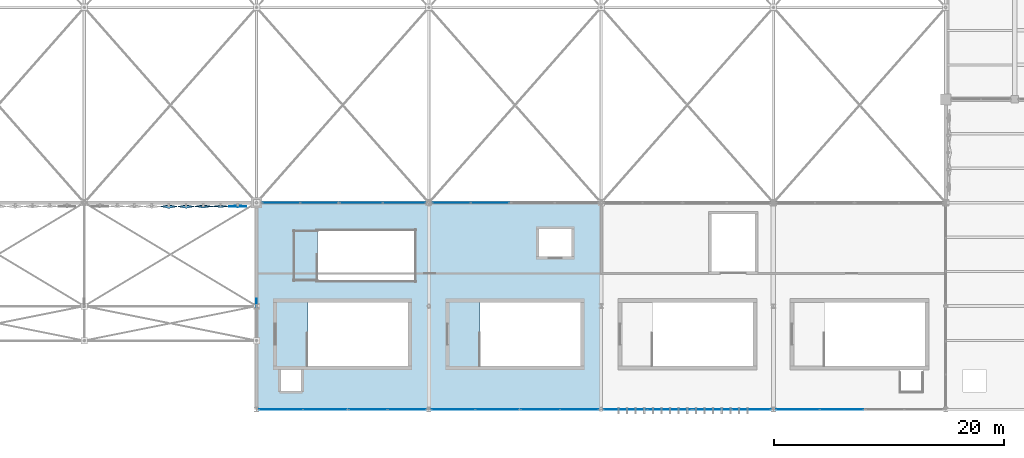
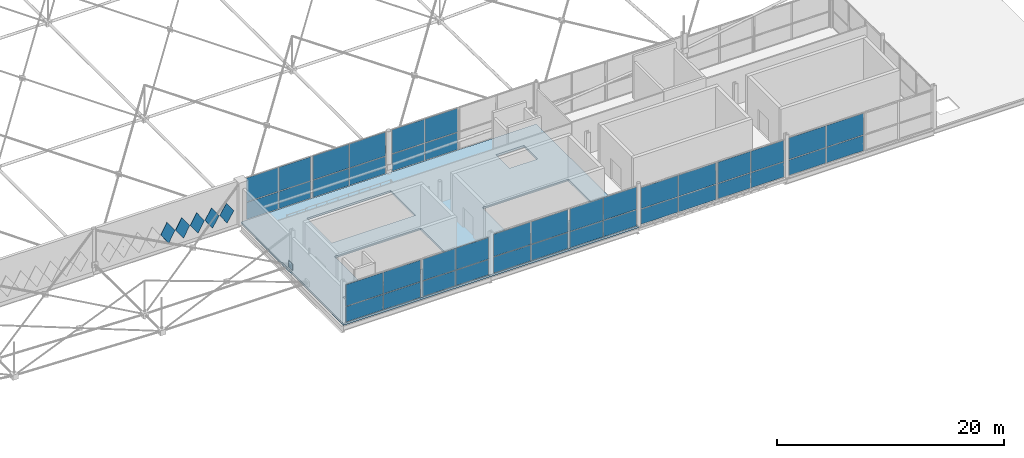
# One storey, part 162 of 224: 46 plates, 1 slab, 10 elements without a shape of their own.
"""IFC4 building model written with IfcOpenShell, lengths in metres."""

from ifc_helpers import new_model, si_unit, direction, frame, origin, origin_2d, place, context, subcontext, project, spatial, polyline, rectangle, outline, extrude, material, layer, layer_set, type_object, element, aggregate, save


model = new_model("IFC4")

# Units and contexts
model_context = context("Model", 3, precision=1e-05, world=origin(), true_north=direction((0.0, 1.0)))
body_context = subcontext(model_context, "Body", "Model", "MODEL_VIEW")
ifc_project = project(units=[si_unit("LENGTHUNIT", "METRE"), si_unit("AREAUNIT", "SQUARE_METRE"), si_unit("VOLUMEUNIT", "CUBIC_METRE"), si_unit("PLANEANGLEUNIT", "RADIAN"), si_unit("MASSUNIT", "GRAM", prefix="KILO")], contexts=[model_context])

# Site, building, storey
site_placement = place(None, origin())
site = spatial("IfcSite", under=ifc_project, at=site_placement, CompositionType="ELEMENT")
building_placement = place(site_placement, origin())
building = spatial("IfcBuilding", under=site, at=building_placement, Name="Qamarlyn Nura Convention Centre", CompositionType="ELEMENT")
storey_placement = place(building_placement, frame((0.0, 0.0, 10.800048828125)))
storey = spatial("IfcBuildingStorey", under=building, at=storey_placement, Name="L02", CompositionType="ELEMENT", Elevation=10.800048828125)

# Curtain wall, plates
ifc_material_1 = material(Name="Double-silver low-E insulated glass", Category="glass")
ifc_layer_1 = layer(ifc_material_1, 0.179931640625, Name="CW-UNIT-17")
ifc_layer_set_1 = layer_set([ifc_layer_1], Name="Double-silver low-E insulated glass")
curtain_wall_type_1 = type_object("IfcCurtainWallType", Name="CW-UNIT-17", PredefinedType="NOTDEFINED", material=ifc_layer_set_1)
curtain_wall_1_placement = place(storey_placement, origin())
curtain_wall_1 = element("IfcCurtainWall", 1, at=curtain_wall_1_placement, inside=storey, type_object=curtain_wall_type_1, Name="L02 unitised curtain wall V1-INT-S1-1A", PredefinedType="NOTDEFINED")
ifc_layer_2 = layer(ifc_material_1, 0.028076171875, Name="CWP-VIS-28")
ifc_layer_set_2 = layer_set([ifc_layer_2], Name="Double-silver low-E insulated glass")
plate_type_1 = type_object("IfcPlateType", Name="CWP-VIS-28", PredefinedType="CURTAIN_PANEL", material=ifc_layer_set_2)
plate_1_placement = place(storey_placement, frame((62.158203125, 18.0, 0.06494140625), z_axis=(0.0, 0.0, 1.0), x_axis=(1.0, 0.0, 0.0)))
plate_1 = element("IfcPlate", 2, at=plate_1_placement, type_object=plate_type_1, Name="CW17 panel 1.1", PredefinedType="CURTAIN_PANEL", context=body_context, shape_type="SweptSolid", body=[
    extrude(rectangle(XDim=3.236083984375, YDim=0.028076171875, at=origin_2d()), origin(), (0.0, 0.0, 1.0), 1.826416015625),
])
plate_2_placement = place(storey_placement, frame((62.158203125, 18.0, 1.956298828125), z_axis=(0.0, 0.0, 1.0), x_axis=(1.0, 0.0, 0.0)))
plate_2 = element("IfcPlate", 3, at=plate_2_placement, type_object=plate_type_1, Name="CW17 panel 1.2", PredefinedType="CURTAIN_PANEL", context=body_context, shape_type="SweptSolid", body=[
    extrude(rectangle(XDim=3.236083984375, YDim=0.028076171875, at=origin_2d()), origin(), (0.0, 0.0, 1.0), 2.55859375),
])
plate_3_placement = place(storey_placement, frame((65.459228515625, 18.0, 0.06494140625), z_axis=(0.0, 0.0, 1.0), x_axis=(1.0, 0.0, 0.0)))
plate_3 = element("IfcPlate", 4, at=plate_3_placement, type_object=plate_type_1, Name="CW17 panel 2.1", PredefinedType="CURTAIN_PANEL", context=body_context, shape_type="SweptSolid", body=[
    extrude(rectangle(XDim=3.236083984375, YDim=0.028076171875, at=origin_2d()), origin(), (0.0, 0.0, 1.0), 1.826416015625),
])
plate_4_placement = place(storey_placement, frame((65.459228515625, 18.0, 1.956298828125), z_axis=(0.0, 0.0, 1.0), x_axis=(1.0, 0.0, 0.0)))
plate_4 = element("IfcPlate", 5, at=plate_4_placement, type_object=plate_type_1, Name="CW17 panel 2.2", PredefinedType="CURTAIN_PANEL", context=body_context, shape_type="SweptSolid", body=[
    extrude(rectangle(XDim=3.236083984375, YDim=0.028076171875, at=origin_2d()), origin(), (0.0, 0.0, 1.0), 2.55859375),
])
aggregate(curtain_wall_1, [plate_1, plate_2, plate_3, plate_4])

ifc_layer_3 = layer(ifc_material_1, 0.179931640625, Name="CW-UNIT-19")
ifc_layer_set_3 = layer_set([ifc_layer_3], Name="Double-silver low-E insulated glass")
curtain_wall_type_2 = type_object("IfcCurtainWallType", Name="CW-UNIT-19", PredefinedType="NOTDEFINED", material=ifc_layer_set_3)
curtain_wall_2_placement = place(storey_placement, origin())
curtain_wall_2 = element("IfcCurtainWall", 6, at=curtain_wall_2_placement, inside=storey, type_object=curtain_wall_type_2, Name="L02 unitised curtain wall V1-INT-S2-1A", PredefinedType="NOTDEFINED")
plate_5_placement = place(storey_placement, frame((76.97021484375, 18.0, 0.06982421875), z_axis=(0.0, 0.0, 1.0), x_axis=(1.0, 0.0, 0.0)))
plate_5 = element("IfcPlate", 7, at=plate_5_placement, type_object=plate_type_1, Name="CW19 panel 1.1", PredefinedType="CURTAIN_PANEL", context=body_context, shape_type="SweptSolid", body=[
    extrude(rectangle(XDim=3.29248046875, YDim=0.028076171875, at=origin_2d()), origin(), (0.0, 0.0, 1.0), 1.819091796875),
])
plate_6_placement = place(storey_placement, frame((76.97021484375, 18.0, 1.958984375), z_axis=(0.0, 0.0, 1.0), x_axis=(1.0, 0.0, 0.0)))
plate_6 = element("IfcPlate", 8, at=plate_6_placement, type_object=plate_type_1, Name="CW19 panel 1.2", PredefinedType="CURTAIN_PANEL", context=body_context, shape_type="SweptSolid", body=[
    extrude(rectangle(XDim=3.29248046875, YDim=0.028076171875, at=origin_2d()), origin(), (0.0, 0.0, 1.0), 2.551025390625),
])
plate_7_placement = place(storey_placement, frame((80.332763671875, 18.0, 0.06982421875), z_axis=(0.0, 0.0, 1.0), x_axis=(1.0, 0.0, 0.0)))
plate_7 = element("IfcPlate", 9, at=plate_7_placement, type_object=plate_type_1, Name="CW19 panel 2.1", PredefinedType="CURTAIN_PANEL", context=body_context, shape_type="SweptSolid", body=[
    extrude(rectangle(XDim=3.29248046875, YDim=0.028076171875, at=origin_2d()), origin(), (0.0, 0.0, 1.0), 1.819091796875),
])
plate_8_placement = place(storey_placement, frame((80.332763671875, 18.0, 1.958984375), z_axis=(0.0, 0.0, 1.0), x_axis=(1.0, 0.0, 0.0)))
plate_8 = element("IfcPlate", 10, at=plate_8_placement, type_object=plate_type_1, Name="CW19 panel 2.2", PredefinedType="CURTAIN_PANEL", context=body_context, shape_type="SweptSolid", body=[
    extrude(rectangle(XDim=3.29248046875, YDim=0.028076171875, at=origin_2d()), origin(), (0.0, 0.0, 1.0), 2.551025390625),
])
aggregate(curtain_wall_2, [plate_5, plate_6, plate_7, plate_8])

ifc_layer_4 = layer(ifc_material_1, 0.179931640625, Name="CW-UNIT-25")
ifc_layer_set_4 = layer_set([ifc_layer_4], Name="Double-silver low-E insulated glass")
curtain_wall_type_3 = type_object("IfcCurtainWallType", Name="CW-UNIT-25", PredefinedType="NOTDEFINED", material=ifc_layer_set_4)
curtain_wall_3_placement = place(storey_placement, origin())
curtain_wall_3 = element("IfcCurtainWall", 11, at=curtain_wall_3_placement, inside=storey, type_object=curtain_wall_type_3, Name="L02 unitised curtain wall SF-S1-1A", PredefinedType="NOTDEFINED")
plate_9_placement = place(storey_placement, frame((73.089111328125, 0.0, 0.06982421875), z_axis=(0.0, 0.0, 1.0), x_axis=(-1.0, 0.0, 0.0)))
plate_9 = element("IfcPlate", 12, at=plate_9_placement, type_object=plate_type_1, Name="CW25 panel 1.1", PredefinedType="CURTAIN_PANEL", context=body_context, shape_type="SweptSolid", body=[
    extrude(rectangle(XDim=3.312744140625, YDim=0.028076171875, at=origin_2d()), origin(), (0.0, 0.0, 1.0), 1.635009765625),
])
plate_10_placement = place(storey_placement, frame((73.089111328125, 0.0, 1.77490234375), z_axis=(0.0, 0.0, 1.0), x_axis=(-1.0, 0.0, 0.0)))
plate_10 = element("IfcPlate", 13, at=plate_10_placement, type_object=plate_type_1, Name="CW25 panel 1.2", PredefinedType="CURTAIN_PANEL", context=body_context, shape_type="SweptSolid", body=[
    extrude(rectangle(XDim=3.312744140625, YDim=0.028076171875, at=origin_2d()), origin(), (0.0, 0.0, 1.0), 2.299072265625),
])
plate_11_placement = place(storey_placement, frame((69.70654296875, 0.0, 0.06982421875), z_axis=(0.0, 0.0, 1.0), x_axis=(-1.0, 0.0, 0.0)))
plate_11 = element("IfcPlate", 14, at=plate_11_placement, type_object=plate_type_1, Name="CW25 panel 2.1", PredefinedType="CURTAIN_PANEL", context=body_context, shape_type="SweptSolid", body=[
    extrude(rectangle(XDim=3.312744140625, YDim=0.028076171875, at=origin_2d()), origin(), (0.0, 0.0, 1.0), 1.635009765625),
])
plate_12_placement = place(storey_placement, frame((69.70654296875, 0.0, 1.77490234375), z_axis=(0.0, 0.0, 1.0), x_axis=(-1.0, 0.0, 0.0)))
plate_12 = element("IfcPlate", 15, at=plate_12_placement, type_object=plate_type_1, Name="CW25 panel 2.2", PredefinedType="CURTAIN_PANEL", context=body_context, shape_type="SweptSolid", body=[
    extrude(rectangle(XDim=3.312744140625, YDim=0.028076171875, at=origin_2d()), origin(), (0.0, 0.0, 1.0), 2.299072265625),
])
aggregate(curtain_wall_3, [plate_9, plate_10, plate_11, plate_12])

ifc_layer_5 = layer(ifc_material_1, 0.179931640625, Name="CW-UNIT-27")
ifc_layer_set_5 = layer_set([ifc_layer_5], Name="Double-silver low-E insulated glass")
curtain_wall_type_4 = type_object("IfcCurtainWallType", Name="CW-UNIT-27", PredefinedType="NOTDEFINED", material=ifc_layer_set_5)
curtain_wall_4_placement = place(storey_placement, origin())
curtain_wall_4 = element("IfcCurtainWall", 16, at=curtain_wall_4_placement, inside=storey, type_object=curtain_wall_type_4, Name="L02 unitised curtain wall SF-S2-1A", PredefinedType="NOTDEFINED")
plate_13_placement = place(storey_placement, frame((88.09716796875, 0.0, 0.06005859375), z_axis=(0.0, 0.0, 1.0), x_axis=(-1.0, 0.0, 0.0)))
plate_13 = element("IfcPlate", 17, at=plate_13_placement, type_object=plate_type_1, Name="CW27 panel 1.1", PredefinedType="CURTAIN_PANEL", context=body_context, shape_type="SweptSolid", body=[
    extrude(rectangle(XDim=3.329833984375, YDim=0.028076171875, at=origin_2d()), origin(), (0.0, 0.0, 1.0), 1.719970703125),
])
plate_14_placement = place(storey_placement, frame((88.09716796875, 0.0, 1.83984375), z_axis=(0.0, 0.0, 1.0), x_axis=(-1.0, 0.0, 0.0)))
plate_14 = element("IfcPlate", 18, at=plate_14_placement, type_object=plate_type_1, Name="CW27 panel 1.2", PredefinedType="CURTAIN_PANEL", context=body_context, shape_type="SweptSolid", body=[
    extrude(rectangle(XDim=3.329833984375, YDim=0.028076171875, at=origin_2d()), origin(), (0.0, 0.0, 1.0), 2.409912109375),
])
plate_15_placement = place(storey_placement, frame((84.70751953125, 0.0, 0.06005859375), z_axis=(0.0, 0.0, 1.0), x_axis=(-1.0, 0.0, 0.0)))
plate_15 = element("IfcPlate", 19, at=plate_15_placement, type_object=plate_type_1, Name="CW27 panel 2.1", PredefinedType="CURTAIN_PANEL", context=body_context, shape_type="SweptSolid", body=[
    extrude(rectangle(XDim=3.329833984375, YDim=0.028076171875, at=origin_2d()), origin(), (0.0, 0.0, 1.0), 1.719970703125),
])
plate_16_placement = place(storey_placement, frame((84.70751953125, 0.0, 1.83984375), z_axis=(0.0, 0.0, 1.0), x_axis=(-1.0, 0.0, 0.0)))
plate_16 = element("IfcPlate", 20, at=plate_16_placement, type_object=plate_type_1, Name="CW27 panel 2.2", PredefinedType="CURTAIN_PANEL", context=body_context, shape_type="SweptSolid", body=[
    extrude(rectangle(XDim=3.329833984375, YDim=0.028076171875, at=origin_2d()), origin(), (0.0, 0.0, 1.0), 2.409912109375),
])
aggregate(curtain_wall_4, [plate_13, plate_14, plate_15, plate_16])

ifc_layer_6 = layer(ifc_material_1, 0.179931640625, Name="CW-UNIT-28")
ifc_layer_set_6 = layer_set([ifc_layer_6], Name="Double-silver low-E insulated glass")
curtain_wall_type_5 = type_object("IfcCurtainWallType", Name="CW-UNIT-28", PredefinedType="NOTDEFINED", material=ifc_layer_set_6)
curtain_wall_5_placement = place(storey_placement, origin())
curtain_wall_5 = element("IfcCurtainWall", 21, at=curtain_wall_5_placement, inside=storey, type_object=curtain_wall_type_5, Name="L02 unitised curtain wall SF-S2-1B", PredefinedType="NOTDEFINED")
plate_17_placement = place(storey_placement, frame((80.95556640625, 0.0, 0.06982421875), z_axis=(0.0, 0.0, 1.0), x_axis=(-1.0, 0.0, 0.0)))
plate_17 = element("IfcPlate", 22, at=plate_17_placement, type_object=plate_type_1, Name="CW28 panel 1.1", PredefinedType="CURTAIN_PANEL", context=body_context, shape_type="SweptSolid", body=[
    extrude(rectangle(XDim=3.75390625, YDim=0.028076171875, at=origin_2d()), origin(), (0.0, 0.0, 1.0), 1.705078125),
])
plate_18_placement = place(storey_placement, frame((80.95556640625, 0.0, 1.844970703125), z_axis=(0.0, 0.0, 1.0), x_axis=(-1.0, 0.0, 0.0)))
plate_18 = element("IfcPlate", 23, at=plate_18_placement, type_object=plate_type_1, Name="CW28 panel 1.2", PredefinedType="CURTAIN_PANEL", context=body_context, shape_type="SweptSolid", body=[
    extrude(rectangle(XDim=3.75390625, YDim=0.028076171875, at=origin_2d()), origin(), (0.0, 0.0, 1.0), 2.39501953125),
])
plate_19_placement = place(storey_placement, frame((77.131591796875, 0.0, 0.06982421875), z_axis=(0.0, 0.0, 1.0), x_axis=(-1.0, 0.0, 0.0)))
plate_19 = element("IfcPlate", 24, at=plate_19_placement, type_object=plate_type_1, Name="CW28 panel 2.1", PredefinedType="CURTAIN_PANEL", context=body_context, shape_type="SweptSolid", body=[
    extrude(rectangle(XDim=3.75390625, YDim=0.028076171875, at=origin_2d()), origin(), (0.0, 0.0, 1.0), 1.705078125),
])
plate_20_placement = place(storey_placement, frame((77.131591796875, 0.0, 1.844970703125), z_axis=(0.0, 0.0, 1.0), x_axis=(-1.0, 0.0, 0.0)))
plate_20 = element("IfcPlate", 25, at=plate_20_placement, type_object=plate_type_1, Name="CW28 panel 2.2", PredefinedType="CURTAIN_PANEL", context=body_context, shape_type="SweptSolid", body=[
    extrude(rectangle(XDim=3.75390625, YDim=0.028076171875, at=origin_2d()), origin(), (0.0, 0.0, 1.0), 2.39501953125),
])
aggregate(curtain_wall_5, [plate_17, plate_18, plate_19, plate_20])

ifc_layer_7 = layer(ifc_material_1, 0.179931640625, Name="CW-UNIT-29")
ifc_layer_set_7 = layer_set([ifc_layer_7], Name="Double-silver low-E insulated glass")
curtain_wall_type_6 = type_object("IfcCurtainWallType", Name="CW-UNIT-29", PredefinedType="NOTDEFINED", material=ifc_layer_set_7)
curtain_wall_6_placement = place(storey_placement, origin())
curtain_wall_6 = element("IfcCurtainWall", 26, at=curtain_wall_6_placement, inside=storey, type_object=curtain_wall_type_6, Name="L02 unitised curtain wall SF-S3-1A", PredefinedType="NOTDEFINED")
plate_21_placement = place(storey_placement, frame((103.087158203125, 0.0, 0.06494140625), z_axis=(0.0, 0.0, 1.0), x_axis=(-1.0, 0.0, 0.0)))
plate_21 = element("IfcPlate", 27, at=plate_21_placement, type_object=plate_type_1, Name="CW29 panel 1.1", PredefinedType="CURTAIN_PANEL", context=body_context, shape_type="SweptSolid", body=[
    extrude(rectangle(XDim=3.32177734375, YDim=0.028076171875, at=origin_2d()), origin(), (0.0, 0.0, 1.0), 1.612548828125),
])
plate_22_placement = place(storey_placement, frame((103.087158203125, 0.0, 1.74267578125), z_axis=(0.0, 0.0, 1.0), x_axis=(-1.0, 0.0, 0.0)))
plate_22 = element("IfcPlate", 28, at=plate_22_placement, type_object=plate_type_1, Name="CW29 panel 1.2", PredefinedType="CURTAIN_PANEL", context=body_context, shape_type="SweptSolid", body=[
    extrude(rectangle(XDim=3.32177734375, YDim=0.028076171875, at=origin_2d()), origin(), (0.0, 0.0, 1.0), 2.263427734375),
])
plate_23_placement = place(storey_placement, frame((99.700439453125, 0.0, 0.06494140625), z_axis=(0.0, 0.0, 1.0), x_axis=(-1.0, 0.0, 0.0)))
plate_23 = element("IfcPlate", 29, at=plate_23_placement, type_object=plate_type_1, Name="CW29 panel 2.1", PredefinedType="CURTAIN_PANEL", context=body_context, shape_type="SweptSolid", body=[
    extrude(rectangle(XDim=3.32177734375, YDim=0.028076171875, at=origin_2d()), origin(), (0.0, 0.0, 1.0), 1.612548828125),
])
plate_24_placement = place(storey_placement, frame((99.700439453125, 0.0, 1.74267578125), z_axis=(0.0, 0.0, 1.0), x_axis=(-1.0, 0.0, 0.0)))
plate_24 = element("IfcPlate", 30, at=plate_24_placement, type_object=plate_type_1, Name="CW29 panel 2.2", PredefinedType="CURTAIN_PANEL", context=body_context, shape_type="SweptSolid", body=[
    extrude(rectangle(XDim=3.32177734375, YDim=0.028076171875, at=origin_2d()), origin(), (0.0, 0.0, 1.0), 2.263427734375),
])
aggregate(curtain_wall_6, [plate_21, plate_22, plate_23, plate_24])

ifc_layer_8 = layer(ifc_material_1, 0.179931640625, Name="CW-UNIT-26")
ifc_layer_set_8 = layer_set([ifc_layer_8], Name="Double-silver low-E insulated glass")
curtain_wall_type_7 = type_object("IfcCurtainWallType", Name="CW-UNIT-26", PredefinedType="NOTDEFINED", material=ifc_layer_set_8)
curtain_wall_7_placement = place(storey_placement, origin())
curtain_wall_7 = element("IfcCurtainWall", 31, at=curtain_wall_7_placement, inside=storey, type_object=curtain_wall_type_7, Name="L02 unitised curtain wall SF-S4-1B", PredefinedType="NOTDEFINED")
plate_25_placement = place(storey_placement, frame((110.95556640625, 0.0, 0.06494140625), z_axis=(0.0, 0.0, 1.0), x_axis=(-1.0, 0.0, 0.0)))
plate_25 = element("IfcPlate", 32, at=plate_25_placement, type_object=plate_type_1, Name="CW26 panel 1.1", PredefinedType="CURTAIN_PANEL", context=body_context, shape_type="SweptSolid", body=[
    extrude(rectangle(XDim=3.759033203125, YDim=0.028076171875, at=origin_2d()), origin(), (0.0, 0.0, 1.0), 1.642578125),
])
plate_26_placement = place(storey_placement, frame((110.95556640625, 0.0, 1.7724609375), z_axis=(0.0, 0.0, 1.0), x_axis=(-1.0, 0.0, 0.0)))
plate_26 = element("IfcPlate", 33, at=plate_26_placement, type_object=plate_type_1, Name="CW26 panel 1.2", PredefinedType="CURTAIN_PANEL", context=body_context, shape_type="SweptSolid", body=[
    extrude(rectangle(XDim=3.759033203125, YDim=0.028076171875, at=origin_2d()), origin(), (0.0, 0.0, 1.0), 2.306396484375),
])
plate_27_placement = place(storey_placement, frame((107.131591796875, 0.0, 0.06494140625), z_axis=(0.0, 0.0, 1.0), x_axis=(-1.0, 0.0, 0.0)))
plate_27 = element("IfcPlate", 34, at=plate_27_placement, type_object=plate_type_1, Name="CW26 panel 2.1", PredefinedType="CURTAIN_PANEL", context=body_context, shape_type="SweptSolid", body=[
    extrude(rectangle(XDim=3.759033203125, YDim=0.028076171875, at=origin_2d()), origin(), (0.0, 0.0, 1.0), 1.642578125),
])
plate_28_placement = place(storey_placement, frame((107.131591796875, 0.0, 1.7724609375), z_axis=(0.0, 0.0, 1.0), x_axis=(-1.0, 0.0, 0.0)))
plate_28 = element("IfcPlate", 35, at=plate_28_placement, type_object=plate_type_1, Name="CW26 panel 2.2", PredefinedType="CURTAIN_PANEL", context=body_context, shape_type="SweptSolid", body=[
    extrude(rectangle(XDim=3.759033203125, YDim=0.028076171875, at=origin_2d()), origin(), (0.0, 0.0, 1.0), 2.306396484375),
])
aggregate(curtain_wall_7, [plate_25, plate_26, plate_27, plate_28])

ifc_layer_9 = layer(ifc_material_1, 0.179931640625, Name="CW-UNIT-18")
ifc_layer_set_9 = layer_set([ifc_layer_9], Name="Double-silver low-E insulated glass")
curtain_wall_type_8 = type_object("IfcCurtainWallType", Name="CW-UNIT-18", PredefinedType="NOTDEFINED", material=ifc_layer_set_9)
curtain_wall_8_placement = place(storey_placement, origin())
curtain_wall_8 = element("IfcCurtainWall", 36, at=curtain_wall_8_placement, inside=storey, type_object=curtain_wall_type_8, Name="L02 unitised curtain wall V1-INT-S1-1B", PredefinedType="NOTDEFINED")
ifc_layer_10 = layer(ifc_material_1, 0.031982421875, Name="CWP-VIS-32")
ifc_layer_set_10 = layer_set([ifc_layer_10], Name="Double-silver low-E insulated glass")
plate_type_2 = type_object("IfcPlateType", Name="CWP-VIS-32", PredefinedType="CURTAIN_PANEL", material=ifc_layer_set_10)
plate_29_placement = place(storey_placement, frame((69.118408203125, 18.0, 0.06005859375), z_axis=(0.0, 0.0, 1.0), x_axis=(1.0, 0.0, 0.0)))
plate_29 = element("IfcPlate", 37, at=plate_29_placement, type_object=plate_type_2, Name="CW18 panel 1.1", PredefinedType="CURTAIN_PANEL", context=body_context, shape_type="SweptSolid", body=[
    extrude(rectangle(XDim=3.671875, YDim=0.031982421875, at=origin_2d()), origin(), (0.0, 0.0, 1.0), 1.833984375),
])
plate_30_placement = place(storey_placement, frame((69.118408203125, 18.0, 1.9541015625), z_axis=(0.0, 0.0, 1.0), x_axis=(1.0, 0.0, 0.0)))
plate_30 = element("IfcPlate", 38, at=plate_30_placement, type_object=plate_type_2, Name="CW18 panel 1.2", PredefinedType="CURTAIN_PANEL", context=body_context, shape_type="SweptSolid", body=[
    extrude(rectangle(XDim=3.671875, YDim=0.031982421875, at=origin_2d()), origin(), (0.0, 0.0, 1.0), 2.56591796875),
])
plate_31_placement = place(storey_placement, frame((72.85009765625, 18.0, 0.06005859375), z_axis=(0.0, 0.0, 1.0), x_axis=(1.0, 0.0, 0.0)))
plate_31 = element("IfcPlate", 39, at=plate_31_placement, type_object=plate_type_2, Name="CW18 panel 2.1", PredefinedType="CURTAIN_PANEL", context=body_context, shape_type="SweptSolid", body=[
    extrude(rectangle(XDim=3.671875, YDim=0.031982421875, at=origin_2d()), origin(), (0.0, 0.0, 1.0), 1.833984375),
])
plate_32_placement = place(storey_placement, frame((72.85009765625, 18.0, 1.9541015625), z_axis=(0.0, 0.0, 1.0), x_axis=(1.0, 0.0, 0.0)))
plate_32 = element("IfcPlate", 40, at=plate_32_placement, type_object=plate_type_2, Name="CW18 panel 2.2", PredefinedType="CURTAIN_PANEL", context=body_context, shape_type="SweptSolid", body=[
    extrude(rectangle(XDim=3.671875, YDim=0.031982421875, at=origin_2d()), origin(), (0.0, 0.0, 1.0), 2.56591796875),
])
aggregate(curtain_wall_8, [plate_29, plate_30, plate_31, plate_32])

curtain_wall_9_placement = place(storey_placement, origin())
curtain_wall_9 = element("IfcCurtainWall", 41, at=curtain_wall_9_placement, inside=storey, type_object=curtain_wall_type_7, Name="L02 unitised curtain wall SF-S1-1B", PredefinedType="NOTDEFINED")
plate_33_placement = place(storey_placement, frame((65.95556640625, 0.0, 0.06494140625), z_axis=(0.0, 0.0, 1.0), x_axis=(-1.0, 0.0, 0.0)))
plate_33 = element("IfcPlate", 42, at=plate_33_placement, type_object=plate_type_2, Name="CW26 panel 1.1", PredefinedType="CURTAIN_PANEL", context=body_context, shape_type="SweptSolid", body=[
    extrude(rectangle(XDim=3.759033203125, YDim=0.031982421875, at=origin_2d()), origin(), (0.0, 0.0, 1.0), 1.642578125),
])
plate_34_placement = place(storey_placement, frame((65.95556640625, 0.0, 1.7724609375), z_axis=(0.0, 0.0, 1.0), x_axis=(-1.0, 0.0, 0.0)))
plate_34 = element("IfcPlate", 43, at=plate_34_placement, type_object=plate_type_2, Name="CW26 panel 1.2", PredefinedType="CURTAIN_PANEL", context=body_context, shape_type="SweptSolid", body=[
    extrude(rectangle(XDim=3.759033203125, YDim=0.031982421875, at=origin_2d()), origin(), (0.0, 0.0, 1.0), 2.306396484375),
])
plate_35_placement = place(storey_placement, frame((62.131591796875, 0.0, 0.06494140625), z_axis=(0.0, 0.0, 1.0), x_axis=(-1.0, 0.0, 0.0)))
plate_35 = element("IfcPlate", 44, at=plate_35_placement, type_object=plate_type_2, Name="CW26 panel 2.1", PredefinedType="CURTAIN_PANEL", context=body_context, shape_type="SweptSolid", body=[
    extrude(rectangle(XDim=3.759033203125, YDim=0.031982421875, at=origin_2d()), origin(), (0.0, 0.0, 1.0), 1.642578125),
])
plate_36_placement = place(storey_placement, frame((62.131591796875, 0.0, 1.7724609375), z_axis=(0.0, 0.0, 1.0), x_axis=(-1.0, 0.0, 0.0)))
plate_36 = element("IfcPlate", 45, at=plate_36_placement, type_object=plate_type_2, Name="CW26 panel 2.2", PredefinedType="CURTAIN_PANEL", context=body_context, shape_type="SweptSolid", body=[
    extrude(rectangle(XDim=3.759033203125, YDim=0.031982421875, at=origin_2d()), origin(), (0.0, 0.0, 1.0), 2.306396484375),
])
aggregate(curtain_wall_9, [plate_33, plate_34, plate_35, plate_36])

ifc_layer_11 = layer(ifc_material_1, 0.179931640625, Name="CW-UNIT-30")
ifc_layer_set_11 = layer_set([ifc_layer_11], Name="Double-silver low-E insulated glass")
curtain_wall_type_9 = type_object("IfcCurtainWallType", Name="CW-UNIT-30", PredefinedType="NOTDEFINED", material=ifc_layer_set_11)
curtain_wall_10_placement = place(storey_placement, origin())
curtain_wall_10 = element("IfcCurtainWall", 46, at=curtain_wall_10_placement, inside=storey, type_object=curtain_wall_type_9, Name="L02 unitised curtain wall SF-S3-1B", PredefinedType="NOTDEFINED")
plate_37_placement = place(storey_placement, frame((95.950439453125, 0.0, 0.059814453125), z_axis=(0.0, 0.0, 1.0), x_axis=(-1.0, 0.0, 0.0)))
plate_37 = element("IfcPlate", 47, at=plate_37_placement, type_object=plate_type_2, Name="CW30 panel 1.1", PredefinedType="CURTAIN_PANEL", context=body_context, shape_type="SweptSolid", body=[
    extrude(rectangle(XDim=3.768310546875, YDim=0.031982421875, at=origin_2d()), origin(), (0.0, 0.0, 1.0), 1.6201171875),
])
plate_38_placement = place(storey_placement, frame((95.950439453125, 0.0, 1.739990234375), z_axis=(0.0, 0.0, 1.0), x_axis=(-1.0, 0.0, 0.0)))
plate_38 = element("IfcPlate", 48, at=plate_38_placement, type_object=plate_type_2, Name="CW30 panel 1.2", PredefinedType="CURTAIN_PANEL", context=body_context, shape_type="SweptSolid", body=[
    extrude(rectangle(XDim=3.768310546875, YDim=0.031982421875, at=origin_2d()), origin(), (0.0, 0.0, 1.0), 2.27099609375),
])
plate_39_placement = place(storey_placement, frame((92.1220703125, 0.0, 0.059814453125), z_axis=(0.0, 0.0, 1.0), x_axis=(-1.0, 0.0, 0.0)))
plate_39 = element("IfcPlate", 49, at=plate_39_placement, type_object=plate_type_2, Name="CW30 panel 2.1", PredefinedType="CURTAIN_PANEL", context=body_context, shape_type="SweptSolid", body=[
    extrude(rectangle(XDim=3.768310546875, YDim=0.031982421875, at=origin_2d()), origin(), (0.0, 0.0, 1.0), 1.6201171875),
])
plate_40_placement = place(storey_placement, frame((92.1220703125, 0.0, 1.739990234375), z_axis=(0.0, 0.0, 1.0), x_axis=(-1.0, 0.0, 0.0)))
plate_40 = element("IfcPlate", 50, at=plate_40_placement, type_object=plate_type_2, Name="CW30 panel 2.2", PredefinedType="CURTAIN_PANEL", context=body_context, shape_type="SweptSolid", body=[
    extrude(rectangle(XDim=3.768310546875, YDim=0.031982421875, at=origin_2d()), origin(), (0.0, 0.0, 1.0), 2.27099609375),
])
aggregate(curtain_wall_10, [plate_37, plate_38, plate_39, plate_40])

# Plates
ifc_material_2 = material(Name="White high-albedo PVDF aluminium composite sheet", Category="aluminium")
ifc_layer_12 = layer(ifc_material_2, 0.02001953125, Name="FP-DIAM-02")
ifc_layer_set_12 = layer_set([ifc_layer_12], Name="White high-albedo PVDF aluminium composite sheet")
plate_type_3 = type_object("IfcPlateType", Name="FP-DIAM-02", PredefinedType="SHEET", material=ifc_layer_set_12)
plate_41_placement = place(storey_placement, frame((58.364013671875, 17.68994140625, 1.699951171875), z_axis=(0.0, -0.998922518042, 0.046409082599), x_axis=(1.0, 0.0, 0.0)))
element("IfcPlate", 51, at=plate_41_placement, inside=storey, type_object=plate_type_3, Name="L02 pivoted white diamond facade tile 0269", PredefinedType="SHEET", context=body_context, shape_type="SweptSolid", body=[
    extrude(outline(polyline([(-0.719970703125, 0.0), (0.0, -1.050048828125), (0.719970703125, 0.0), (0.0, 1.050048828125), (-0.719970703125, 0.0)])), origin(), (0.0, 0.0, 1.0), 0.02001953125),
])
ifc_layer_13 = layer(ifc_material_2, 0.02587890625, Name="FP-DIAM-04")
ifc_layer_set_13 = layer_set([ifc_layer_13], Name="White high-albedo PVDF aluminium composite sheet")
plate_type_4 = type_object("IfcPlateType", Name="FP-DIAM-04", PredefinedType="SHEET", material=ifc_layer_set_13)
plate_42_placement = place(storey_placement, frame((56.864013671875, 17.68994140625, 1.699951171875), z_axis=(0.0, -0.996419457129, 0.084547415428), x_axis=(1.0, 0.0, 0.0)))
element("IfcPlate", 52, at=plate_42_placement, inside=storey, type_object=plate_type_4, Name="L02 pivoted white diamond facade tile 0270", PredefinedType="SHEET", context=body_context, shape_type="SweptSolid", body=[
    extrude(outline(polyline([(-0.719970703125, 0.0), (0.0, -1.050048828125), (0.719970703125, 0.0), (0.0, 1.050048828125), (-0.719970703125, 0.0)])), origin(), (0.0, 0.0, 1.0), 0.02587890625),
])
ifc_layer_14 = layer(ifc_material_2, 0.0380859375, Name="FP-DIAM-07")
ifc_layer_set_14 = layer_set([ifc_layer_14], Name="White high-albedo PVDF aluminium composite sheet")
plate_type_5 = type_object("IfcPlateType", Name="FP-DIAM-07", PredefinedType="SHEET", material=ifc_layer_set_14)
plate_43_placement = place(storey_placement, frame((55.364013671875, 17.68994140625, 1.699951171875), z_axis=(0.0, -0.993312448482, 0.115457263478), x_axis=(1.0, 0.0, 0.0)))
element("IfcPlate", 53, at=plate_43_placement, inside=storey, type_object=plate_type_5, Name="L02 pivoted white diamond facade tile 0271", PredefinedType="SHEET", context=body_context, shape_type="SweptSolid", body=[
    extrude(outline(polyline([(-0.719970703125, 0.0), (0.0, -1.050048828125), (0.719970703125, 0.0), (0.0, 1.050048828125), (-0.719970703125, 0.0)])), origin(), (0.0, 0.0, 1.0), 0.0380859375),
])
ifc_layer_15 = layer(ifc_material_2, 0.0439453125, Name="FP-DIAM-08")
ifc_layer_set_15 = layer_set([ifc_layer_15], Name="White high-albedo PVDF aluminium composite sheet")
plate_type_6 = type_object("IfcPlateType", Name="FP-DIAM-08", PredefinedType="SHEET", material=ifc_layer_set_15)
for number, where, z_axis, x_axis, name in (
    (54, (53.864013671875, 17.68994140625, 1.699951171875), (0.0, -0.990747840471, 0.135715572434), (1.0, 0.0, 0.0), "L02 pivoted white diamond facade tile 0272"),
    (55, (52.364013671875, 17.68994140625, 1.699951171875), (0.0, -0.989776230908, 0.142628933706), (1.0, 0.0, 0.0), "L02 pivoted white diamond facade tile 0273"),
):
    element("IfcPlate", number, at=place(storey_placement, frame(where, z_axis=z_axis, x_axis=x_axis)), inside=storey, type_object=plate_type_6, Name=name, PredefinedType="SHEET", context=body_context, shape_type="SweptSolid", body=[
        extrude(outline(polyline([(-0.719970703125, 0.0), (0.0, -1.050048828125), (0.719970703125, 0.0), (0.0, 1.050048828125), (-0.719970703125, 0.0)])), origin(), (0.0, 0.0, 1.0), 0.0439453125),
    ])
ifc_material_3 = material(Name="Structural steel ASTM A572 Grade 50", Category="steel")
ifc_layer_16 = layer(ifc_material_3, 0.0419921875, Name="GP-SN2")
ifc_layer_set_16 = layer_set([ifc_layer_16], Name="Structural steel ASTM A572 Grade 50")
plate_type_7 = type_object("IfcPlateType", Name="GP-SN2", PredefinedType="USERDEFINED", material=ifc_layer_set_16)
plate_44_placement = place(storey_placement, frame((60.0, 9.280029296875, 0.2470703125), z_axis=(0.0, 0.0, 1.0), x_axis=(0.0, 1.0, 0.0)))
element("IfcPlate", 56, at=plate_44_placement, inside=storey, type_object=plate_type_7, Name="Tree strut gusset plate S-6-H", ObjectType="GUSSET PLATE", PredefinedType="USERDEFINED", context=body_context, shape_type="SweptSolid", body=[
    extrude(rectangle(XDim=0.719970703125, YDim=0.0419921875, at=origin_2d()), origin(), (0.0, 0.0, 1.0), 0.719970703125),
])

# Slab
ifc_material_4 = material(Name="Concrete C40/50", Category="concrete")
ifc_layer_17 = layer(ifc_material_4, 0.219970703125, Name="SL-L02")
ifc_layer_set_17 = layer_set([ifc_layer_17], Name="Concrete C40/50")
slab_type = type_object("IfcSlabType", Name="SL-L02", PredefinedType="FLOOR", material=ifc_layer_set_17)
slab_placement = place(storey_placement, frame((0.0, 0.0, -0.219970703125)))
element("IfcSlab", 57, at=slab_placement, inside=storey, type_object=slab_type, Name="L02 floor slab L02-SF1", PredefinedType="FLOOR", context=body_context, shape_type="SweptSolid", body=[
    extrude(outline(polyline([(60.0, 18.0), (90.0, 18.0), (90.0, 0.0), (60.0, 0.0), (60.0, 18.0)]), holes=[polyline([(62.0, 3.5), (62.0, 1.5), (64.0, 1.5), (64.0, 3.5), (62.0, 3.5)]), polyline([(73.199951171875, 3.800048828125), (73.199951171875, 9.300048828125), (64.4599609375, 9.300048828125), (64.4599609375, 3.800048828125), (73.199951171875, 3.800048828125)]), polyline([(79.4599609375, 3.800048828125), (88.199951171875, 3.800048828125), (88.199951171875, 9.300048828125), (79.4599609375, 9.300048828125), (79.4599609375, 3.800048828125)]), polyline([(65.300048828125, 11.199951171875), (73.800048828125, 11.199951171875), (73.800048828125, 15.580078125), (65.300048828125, 15.580078125), (65.300048828125, 11.199951171875)]), polyline([(87.425048828125, 15.699951171875), (84.574951171875, 15.699951171875), (84.574951171875, 13.300048828125), (87.425048828125, 13.300048828125), (87.425048828125, 15.699951171875)])]), origin(), (0.0, 0.0, 1.0), 0.219970703125),
])

save(model, "model.ifc")
